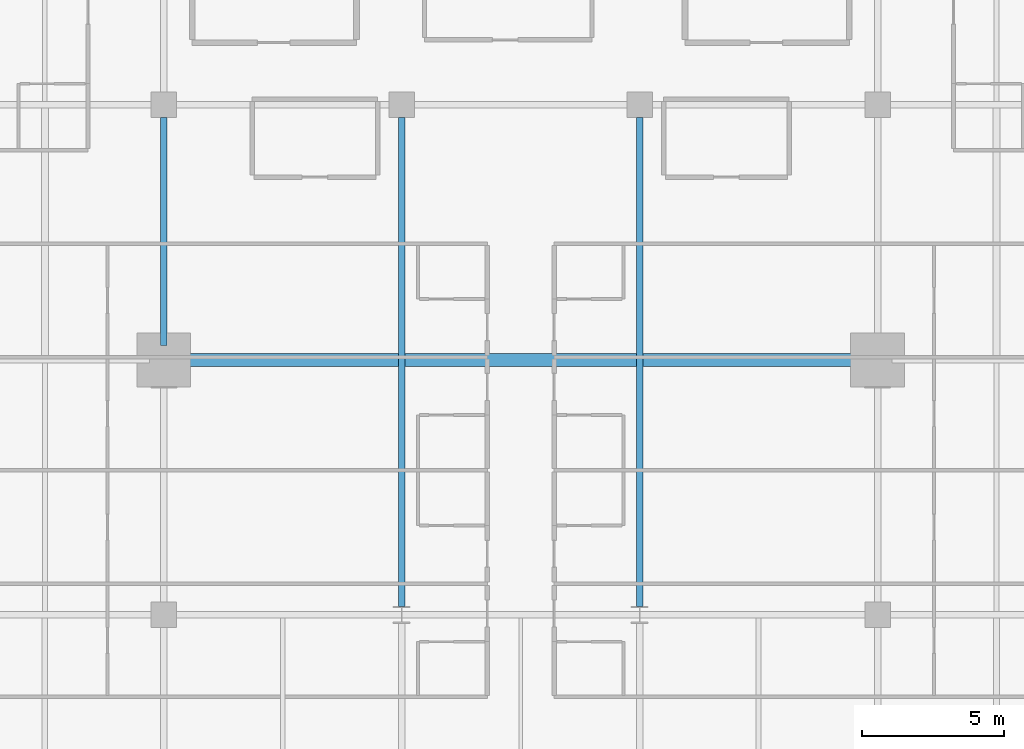
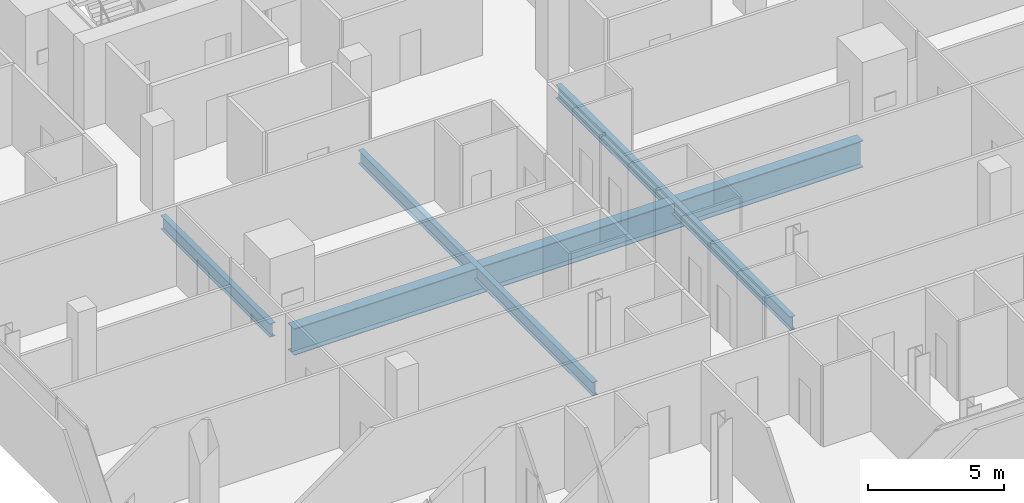
# One storey, part 11 of 34: 4 beams.
"""IFC4 building model written with IfcOpenShell, lengths in metres."""

from ifc_helpers import new_model, si_unit, direction, frame, origin, origin_2d, place, context, subcontext, project, spatial, i_section, extrude, material, material_profile, profile_set, type_object, element, save


model = new_model("IFC4")

# Units and contexts
model_context = context("Model", 3, precision=1e-05, world=origin(), true_north=direction((0.0, 1.0)))
body_context = subcontext(model_context, "Body", "Model", "MODEL_VIEW")
ifc_project = project(units=[si_unit("LENGTHUNIT", "METRE"), si_unit("AREAUNIT", "SQUARE_METRE"), si_unit("VOLUMEUNIT", "CUBIC_METRE"), si_unit("PLANEANGLEUNIT", "RADIAN"), si_unit("MASSUNIT", "GRAM", prefix="KILO")], contexts=[model_context])

# Site, building, storey
site_placement = place(None, origin())
site = spatial("IfcSite", under=ifc_project, at=site_placement, CompositionType="ELEMENT")
building_placement = place(site_placement, origin())
building = spatial("IfcBuilding", under=site, at=building_placement, Name="Maruvema Waterfront Hotel and Observation Tower", CompositionType="ELEMENT")
storey_placement = place(building_placement, frame((0.0, 0.0, 127.39990234375)))
storey = spatial("IfcBuildingStorey", under=building, at=storey_placement, Name="L30", CompositionType="ELEMENT", Elevation=127.39990234375)

# Beams
ifc_material_1 = material(Name="Steel ASTM A572 Grade 50", Category="steel")
ifc_material_profile_1 = material_profile(ifc_material_1, i_section(OverallWidth=0.22900390625, OverallDepth=0.612060546875, WebThickness=0.011962890625, FlangeThickness=0.01953125, FilletRadius=0.01806640625, at=origin_2d()), Name="W610x125.0")
ifc_profile_set_1 = profile_set([ifc_material_profile_1], Name="Steel ASTM A572 Grade 50")
beam_type_1 = type_object("IfcBeamType", Name="Primary Floor Girder W610x125.0", PredefinedType="BEAM", material=ifc_profile_set_1)
beam_1_placement = place(storey_placement, frame((25.199951171875, 27.5, -0.5458984375), z_axis=(0.0, 1.0, 0.0), x_axis=(-1.0, 0.0, 0.0)))
element("IfcBeam", 1, at=beam_1_placement, inside=storey, type_object=beam_type_1, Name="L30 Floor Girder NS-12", PredefinedType="BEAM", context=body_context, shape_type="SweptSolid", body=[
    extrude(i_section(OverallWidth=0.22900390625, OverallDepth=0.612060546875, WebThickness=0.011962890625, FlangeThickness=0.01953125, FilletRadius=0.01806640625, at=origin_2d()), origin(), (0.0, 0.0, 1.0), 8.050048828125),
])
for number, where, z_axis, x_axis, name in (
    (2, (33.60009765625, 18.300048828125, -0.5458984375), (0.0, 1.0, 0.0), (-1.0, 0.0, 0.0), "L30 Floor Girder NS-16"),
    (3, (42.0, 18.300048828125, -0.5458984375), (0.0, 1.0, 0.0), (-1.0, 0.0, 0.0), "L30 Floor Girder NS-19"),
):
    element("IfcBeam", number, at=place(storey_placement, frame(where, z_axis=z_axis, x_axis=x_axis)), inside=storey, type_object=beam_type_1, Name=name, PredefinedType="BEAM", context=body_context, shape_type="SweptSolid", body=[
        extrude(i_section(OverallWidth=0.22900390625, OverallDepth=0.612060546875, WebThickness=0.011962890625, FlangeThickness=0.01953125, FilletRadius=0.01806640625, at=origin_2d()), origin(), (0.0, 0.0, 1.0), 17.25),
    ])
ifc_material_2 = material(Name="Steel ABNT NBR 7007 AR 415 (ASTM A572 Grade 50)", Category="steel")
ifc_material_profile_2 = material_profile(ifc_material_2, i_section(OverallWidth=0.449951171875, OverallDepth=1.199951171875, WebThickness=0.01904296875, FlangeThickness=0.031982421875, at=origin_2d()), Name="VS1200x366")
ifc_profile_set_2 = profile_set([ifc_material_profile_2], Name="Steel ABNT NBR 7007 AR 415 (ASTM A572 Grade 50)")
beam_type_2 = type_object("IfcBeamType", Name="Upper Setback Transfer Girder VS1200x366", PredefinedType="USERDEFINED", material=ifc_profile_set_2)
beam_2_placement = place(storey_placement, frame((25.699951171875, 27.0, -0.83984375), z_axis=(1.0, 0.0, 0.0), x_axis=(0.0, 1.0, 0.0)))
element("IfcBeam", 4, at=beam_2_placement, inside=storey, type_object=beam_type_2, Name="L30 Floor Girder EW-20", ObjectType="TRANSFER GIRDER", PredefinedType="USERDEFINED", context=body_context, shape_type="SweptSolid", body=[
    extrude(i_section(OverallWidth=0.449951171875, OverallDepth=1.199951171875, WebThickness=0.01904296875, FlangeThickness=0.031982421875, at=origin_2d()), origin(), (0.0, 0.0, 1.0), 24.199951171875),
])

save(model, "model.ifc")
